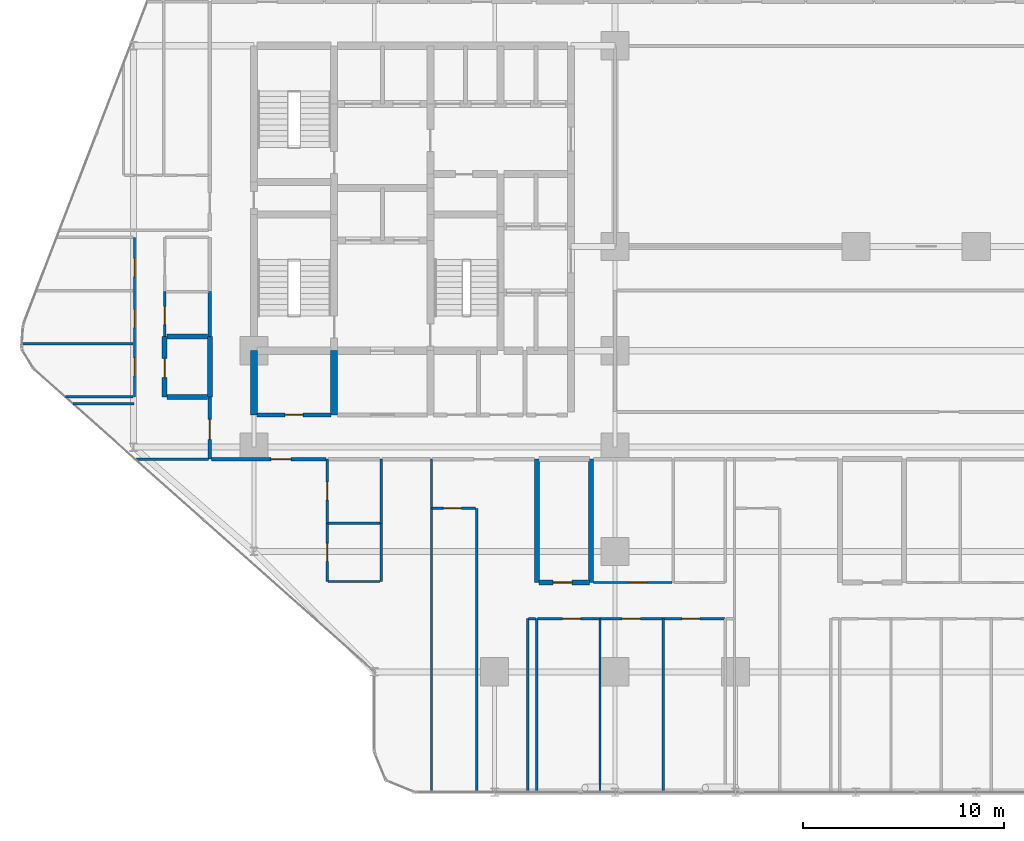
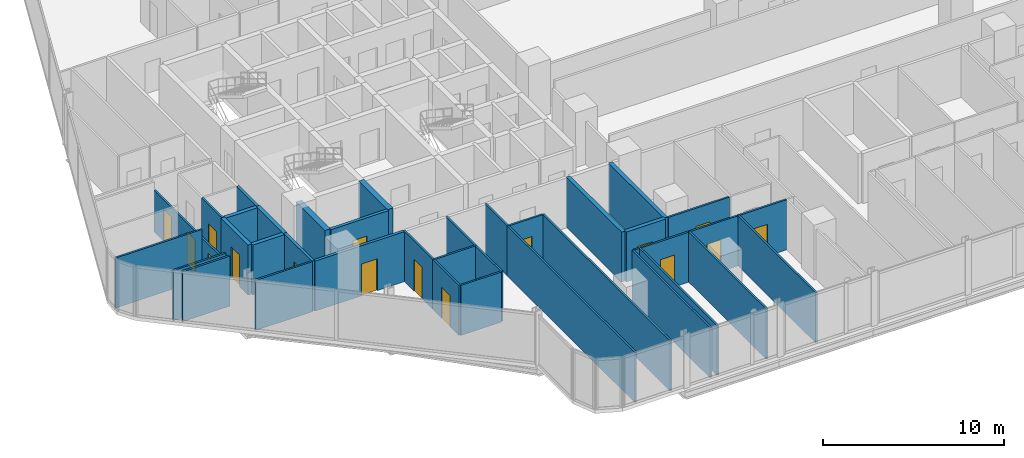
# One storey, part 26 of 33: 36 walls, 16 doors, 16 openings.
"""IFC4 building model written with IfcOpenShell, lengths in metres."""

import ifcopenshell
import ifcopenshell.guid

model = None  # the IFC model being written
_history = None  # IfcOwnerHistory: only IFC2X3 demands one
_inside = {}  # id of a spatial element -> (the spatial element, [elements in it])
_under = {}  # id of a project, library or spatial element -> (it, [spatial elements below it])
_declared = {}  # id of a project -> (the project, [libraries it declares])
_typed = {}  # id of a type object -> (the type object, [elements of that type])
_made_of = {}  # id of a material, layer set ... -> (it, [elements and type objects made of it])


def new_model(schema):
    """Start an empty IFC model of exactly this schema.

    Asked for "IFC4X3", IfcOpenShell would pick the latest addendum, in which some entities
    have other attributes; the version numbers below select the first issue.
    IFC2X3 requires an IfcOwnerHistory on every rooted entity: one is made here for all.
    """
    global model, _history
    if schema == "IFC4X3":
        model = ifcopenshell.file(schema_version=(4, 3, 0, 0))
    else:
        model = ifcopenshell.file(schema=schema)
    _inside.clear()
    _under.clear()
    _declared.clear()
    _typed.clear()
    _made_of.clear()
    _history = None
    if model.schema == "IFC2X3":
        org = make("IfcOrganization", Name="unknown")
        user = make(
            "IfcPersonAndOrganization",
            ThePerson=make("IfcPerson", FamilyName="unknown"),
            TheOrganization=org,
        )
        app = make(
            "IfcApplication",
            ApplicationDeveloper=org,
            Version="unknown",
            ApplicationFullName="unknown",
            ApplicationIdentifier="unknown",
        )
        _history = make(
            "IfcOwnerHistory",
            OwningUser=user,
            OwningApplication=app,
            ChangeAction="ADDED",
            CreationDate=0,
        )
    return model


def make(cls, **values):
    """One entity of the class cls with the attributes given. An attribute that is None is left unset."""
    return model.create_entity(
        cls, **{name: value for name, value in values.items() if value is not None}
    )


def rooted(cls, **values):
    """An entity with a GlobalId (a new one), such as an element, a storey or a relation."""
    return make(cls, GlobalId=ifcopenshell.guid.new(), OwnerHistory=_history, **values)


def si_unit(unit_type, name, prefix=None):
    """IfcSIUnit, for example si_unit("LENGTHUNIT", "METRE", prefix="MILLI")."""
    return make("IfcSIUnit", UnitType=unit_type, Prefix=prefix, Name=name)


def assignment(units):
    """IfcUnitAssignment: the units of a project."""
    return None if units is None else make("IfcUnitAssignment", Units=units)


def point(xyz):
    """IfcCartesianPoint."""
    return None if xyz is None else make("IfcCartesianPoint", Coordinates=xyz)


def direction(xyz):
    """IfcDirection."""
    return None if xyz is None else make("IfcDirection", DirectionRatios=xyz)


def frame(location, z_axis=None, x_axis=None):
    """IfcAxis2Placement3D, a coordinate frame: its origin and axes. An axis left out is left unset."""
    return make(
        "IfcAxis2Placement3D",
        Location=point(location),
        Axis=direction(z_axis),
        RefDirection=direction(x_axis),
    )


def frame_2d(location, x_axis=None):
    """IfcAxis2Placement2D, a coordinate frame in the plane: its origin and x axis."""
    return make(
        "IfcAxis2Placement2D", Location=point(location), RefDirection=direction(x_axis)
    )


def origin():
    """The frame at (0, 0, 0) with its axes left unset."""
    return frame((0.0, 0.0, 0.0))


def place(relative_to, where):
    """IfcLocalPlacement: puts the frame where relative to a parent placement (None: the world)."""
    return make(
        "IfcLocalPlacement", PlacementRelTo=relative_to, RelativePlacement=where
    )


def context(
    kind, dimensions, precision=None, world=None, true_north=None, identifier=None
):
    """IfcGeometricRepresentationContext, for example the 3D "Model" context."""
    return make(
        "IfcGeometricRepresentationContext",
        ContextIdentifier=identifier,
        ContextType=kind,
        CoordinateSpaceDimension=dimensions,
        Precision=precision,
        WorldCoordinateSystem=world,
        TrueNorth=true_north,
    )


def subcontext(parent, identifier, kind, view, scale=None):
    """IfcGeometricRepresentationSubContext, for example "Body" below "Model"."""
    return make(
        "IfcGeometricRepresentationSubContext",
        ContextIdentifier=identifier,
        ContextType=kind,
        ParentContext=parent,
        TargetScale=scale,
        TargetView=view,
    )


def project(units=None, contexts=None):
    """IfcProject with its units and contexts."""
    return rooted(
        "IfcProject",
        Name="project",
        RepresentationContexts=contexts,
        UnitsInContext=assignment(units),
    )


def spatial(cls, under=None, at=None, **own):
    """A site, building, storey or space (cls), placed at a placement, below another one or the project."""
    s = rooted(cls, ObjectPlacement=at, **own)
    if under is not None:
        _under.setdefault(under.id(), (under, []))[1].append(s)
    return s


def profile(cls, at=None, kind="AREA", **sizes):
    """A parametric profile (cls). Its sizes go by their IFC names, for example OverallWidth=200.0."""
    return make(cls, ProfileType=kind, Position=at, **sizes)


def rectangle(**sizes):
    """IfcRectangleProfileDef."""
    return profile("IfcRectangleProfileDef", **sizes)


def extrude(swept, where, along, depth):
    """IfcExtrudedAreaSolid: the profile swept, set in the frame where, extruded along a direction by depth."""
    return make(
        "IfcExtrudedAreaSolid",
        SweptArea=swept,
        Position=where,
        ExtrudedDirection=direction(along),
        Depth=depth,
    )


def shape(context_of_items, identifier, shape_type, items):
    """IfcShapeRepresentation: the items that make up one representation, for example the "Body"."""
    return make(
        "IfcShapeRepresentation",
        ContextOfItems=context_of_items,
        RepresentationIdentifier=identifier,
        RepresentationType=shape_type,
        Items=items,
    )


def material(Name=None, Category=None):
    """IfcMaterial."""
    return make("IfcMaterial", Name=Name, Category=Category)


def layer(
    of_material, thickness, ventilated=None, Name=None, Category=None, Priority=None
):
    """IfcMaterialLayer: one layer of a wall or slab, of a material (None: an air gap)."""
    return make(
        "IfcMaterialLayer",
        Material=of_material,
        LayerThickness=thickness,
        IsVentilated=ventilated,
        Name=Name,
        Category=Category,
        Priority=Priority,
    )


def layer_set(layers, Name=None):
    """IfcMaterialLayerSet."""
    return make("IfcMaterialLayerSet", MaterialLayers=layers, LayerSetName=Name)


def made_of(thing, what):
    """Note that an element or type object is made of a material, layer set ...; save() writes the relation."""
    if what is not None:
        _made_of.setdefault(what.id(), (what, []))[1].append(thing)
    return thing


def type_object(cls, material=None, **own):
    """A type object (cls), such as IfcWallType, which elements share."""
    return made_of(rooted(cls, **own), material)


def element(
    cls,
    number,
    at=None,
    inside=None,
    cuts=None,
    type_object=None,
    material=None,
    context=None,
    identifier="Body",
    shape_type=None,
    held_by="IfcProductDefinitionShape",
    body=None,
    shapes=None,
    **own,
):
    """One element of the class cls, such as IfcWall. Its Tag is "e" and its number.

    at: its placement. inside: the storey or other place that contains it. cuts: it is an
    opening in that element (IfcRelVoidsElement). A single representation is given by context,
    identifier, shape_type and body (its items); several are given by shapes. held_by: the class
    of the entity that holds the representations. save() writes the other relations.
    """
    e = rooted(cls, Tag="e%d" % number, ObjectPlacement=at, **own)
    if body is not None:
        shapes = [shape(context, identifier, shape_type, body)]
    if shapes is not None:
        e.Representation = make(held_by, Representations=shapes)
    if inside is not None:
        _inside.setdefault(inside.id(), (inside, []))[1].append(e)
    if cuts is not None:
        rooted(
            "IfcRelVoidsElement", RelatingBuildingElement=cuts, RelatedOpeningElement=e
        )
    if type_object is not None:
        _typed.setdefault(type_object.id(), (type_object, []))[1].append(e)
    return made_of(e, material)


def fill(opening, filler):
    """IfcRelFillsElement: the door or window that sits in an opening."""
    return rooted(
        "IfcRelFillsElement",
        RelatingOpeningElement=opening,
        RelatedBuildingElement=filler,
    )


def aggregate(whole, parts):
    """IfcRelAggregates: a whole, such as a stair, and the parts it consists of."""
    return rooted("IfcRelAggregates", RelatingObject=whole, RelatedObjects=parts)


def save(model, path):
    """Write the relations noted so far, then the file.

    IfcRelAggregates (storeys below a building ...), IfcRelContainedInSpatialStructure (elements
    in a storey), IfcRelDefinesByType, IfcRelAssociatesMaterial and IfcRelDeclares: one each for
    every whole, place, type object, material and project.
    """
    for whole, parts in _under.values():
        aggregate(whole, parts)
    for where, things in _inside.values():
        rooted(
            "IfcRelContainedInSpatialStructure",
            RelatedElements=things,
            RelatingStructure=where,
        )
    for kind, things in _typed.values():
        rooted("IfcRelDefinesByType", RelatedObjects=things, RelatingType=kind)
    for what, things in _made_of.values():
        rooted("IfcRelAssociatesMaterial", RelatedObjects=things, RelatingMaterial=what)
    for by, libraries in _declared.values():
        rooted("IfcRelDeclares", RelatingContext=by, RelatedDefinitions=libraries)
    model.write(path)


model = new_model("IFC4")

# Units and contexts
model_context = context("Model", 3, precision=1e-05, world=origin(), true_north=direction((0.0, 1.0)))
body_context = subcontext(model_context, "Body", "Model", "MODEL_VIEW")
ifc_project = project(units=[si_unit("LENGTHUNIT", "METRE"), si_unit("AREAUNIT", "SQUARE_METRE"), si_unit("VOLUMEUNIT", "CUBIC_METRE"), si_unit("PLANEANGLEUNIT", "RADIAN"), si_unit("MASSUNIT", "GRAM", prefix="KILO")], contexts=[model_context])

# Site, building, storey
site_placement = place(None, origin())
site = spatial("IfcSite", under=ifc_project, at=site_placement, CompositionType="ELEMENT")
building_placement = place(site_placement, origin())
building = spatial("IfcBuilding", under=site, at=building_placement, Name="Keshet Zoharim Tower", CompositionType="ELEMENT")
storey_placement = place(building_placement, frame((0.0, 0.0, 35.10009765625)))
storey = spatial("IfcBuildingStorey", under=building, at=storey_placement, Name="L07", CompositionType="ELEMENT", Elevation=35.10009765625)

# Walls
ifc_material_1 = material(Name="Concrete C60/75", Category="concrete")
ifc_layer_1 = layer(ifc_material_1, 0.35009765625)
ifc_layer_set_1 = layer_set([ifc_layer_1], Name="Concrete C60/75")
wall_type_1 = type_object("IfcWallType", Name="WL-CORE-350", PredefinedType="SHEAR", material=ifc_layer_set_1)
for number, where, z_axis, x_axis, name in (
    (1, (15.0, 19.5, 0.0), (0.0, 0.0, 1.0), (0.0, 1.0, 0.0), "L07 Core Shear Wall 013"),
    (2, (19.0, 19.5, 0.0), (0.0, 0.0, 1.0), (0.0, 1.0, 0.0), "L07 Core Shear Wall 021"),
):
    element("IfcWall", number, at=place(storey_placement, frame(where, z_axis=z_axis, x_axis=x_axis)), inside=storey, type_object=wall_type_1, Name=name, PredefinedType="SHEAR", context=body_context, shape_type="SweptSolid", body=[
        extrude(rectangle(XDim=3.199951171875, YDim=0.35009765625, at=frame_2d((1.60009765625, 0.0))), origin(), (0.0, 0.0, 1.0), 3.385009765625),
    ])

# Wall, opening, door
ifc_material_2 = material(Name="Gypsum Plasterboard", Category="gypsum")
ifc_layer_2 = layer(ifc_material_2, 0.179931640625)
ifc_layer_set_2 = layer_set([ifc_layer_2], Name="Gypsum Plasterboard")
wall_type_2 = type_object("IfcWallType", Name="WL-CORR-180", PredefinedType="STANDARD", material=ifc_layer_set_2)
wall_1_placement = place(storey_placement, frame((12.800048828125, 17.300048828125, 0.0), z_axis=(0.0, 0.0, 1.0), x_axis=(0.0, 1.0, 0.0)))
wall_1 = element("IfcWall", 3, at=wall_1_placement, inside=storey, type_object=wall_type_2, Name="L07 Interior Wall 007", PredefinedType="STANDARD", context=body_context, shape_type="SweptSolid", body=[
    extrude(rectangle(XDim=3.099853515625, YDim=0.179931640625, at=frame_2d((1.5498046875, 0.0))), origin(), (0.0, 0.0, 1.0), 3.385009765625),
])
opening_1_placement = place(wall_1_placement, frame((0.97802734375, 0.0, 0.0)))
opening_1 = element("IfcOpeningElement", 4, at=opening_1_placement, cuts=wall_1, Name="Opening D-F310", PredefinedType="OPENING", context=body_context, shape_type="SweptSolid", body=[
    extrude(rectangle(XDim=1.0, YDim=2.14990234375, at=frame_2d((0.5, 1.074951171875))), frame((0.0, 0.10009765625, 0.0), z_axis=(0.0, -1.0, 0.0), x_axis=(1.0, 0.0, 0.0)), (0.0, 0.0, 1.0), 0.199951171875),
])
ifc_material_3 = material(Name="Hardwood Timber", Category="wood")
door_type_1 = type_object("IfcDoorType", Name="DR-FD30-100", OperationType="NOTDEFINED", PredefinedType="DOOR", material=ifc_material_3)
door_1_placement = place(opening_1_placement, origin())
door_1 = element("IfcDoor", 5, at=door_1_placement, inside=storey, type_object=door_type_1, Name="Apartment 0709 Entrance Door", OperationType="SINGLE_SWING_LEFT", OverallHeight=2.14990234375, OverallWidth=1.0, PredefinedType="DOOR", context=body_context, shape_type="SweptSolid", body=[
    extrude(rectangle(XDim=1.0, YDim=2.14990234375, at=frame_2d((0.5, 1.074951171875))), frame((0.0, 0.02490234375, 0.0), z_axis=(0.0, -1.0, 0.0), x_axis=(1.0, 0.0, 0.0)), (0.0, 0.0, 1.0), 0.050048828125),
])
fill(opening_1, door_1)

# Wall
wall_2_placement = place(storey_placement, frame((12.800048828125, 23.4208984375, 0.0), z_axis=(0.0, 0.0, 1.0), x_axis=(0.0, 1.0, 0.0)))
element("IfcWall", 6, at=wall_2_placement, inside=storey, type_object=wall_type_2, Name="L07 Interior Wall 009", PredefinedType="STANDARD", context=body_context, shape_type="SweptSolid", body=[
    extrude(rectangle(XDim=2.22607421875, YDim=0.179931640625, at=frame_2d((1.113037109375, 0.0))), origin(), (0.0, 0.0, 1.0), 3.385009765625),
])

# Wall, opening, door
wall_3_placement = place(storey_placement, frame((12.875, 17.300048828125, 0.0), z_axis=(0.0, 0.0, 1.0), x_axis=(1.0, 0.0, 0.0)))
wall_3 = element("IfcWall", 7, at=wall_3_placement, inside=storey, type_object=wall_type_2, Name="L07 Interior Wall 152", PredefinedType="STANDARD", context=body_context, shape_type="SweptSolid", body=[
    extrude(rectangle(XDim=5.719970703125, YDim=0.179931640625, at=frame_2d((2.85986328125, 0.0))), origin(), (0.0, 0.0, 1.0), 3.385009765625),
])
opening_2_placement = place(wall_3_placement, frame((2.97509765625, 0.0, 0.0)))
opening_2 = element("IfcOpeningElement", 8, at=opening_2_placement, cuts=wall_3, Name="Opening D-F310", PredefinedType="OPENING", context=body_context, shape_type="SweptSolid", body=[
    extrude(rectangle(XDim=1.0, YDim=2.14990234375, at=frame_2d((0.5, 1.074951171875))), frame((0.0, 0.10009765625, 0.0), z_axis=(0.0, -1.0, 0.0), x_axis=(1.0, 0.0, 0.0)), (0.0, 0.0, 1.0), 0.199951171875),
])
door_2_placement = place(opening_2_placement, origin())
door_2 = element("IfcDoor", 9, at=door_2_placement, inside=storey, type_object=door_type_1, Name="Apartment 0701 Entrance Door", OperationType="SINGLE_SWING_RIGHT", OverallHeight=2.14990234375, OverallWidth=1.0, PredefinedType="DOOR", context=body_context, shape_type="SweptSolid", body=[
    extrude(rectangle(XDim=1.0, YDim=2.14990234375, at=frame_2d((0.5, 1.074951171875))), frame((0.0, 0.02490234375, 0.0), z_axis=(0.0, -1.0, 0.0), x_axis=(1.0, 0.0, 0.0)), (0.0, 0.0, 1.0), 0.050048828125),
])
fill(opening_2, door_2)

ifc_material_4 = material(Name="Concrete C50/60", Category="concrete")
ifc_layer_3 = layer(ifc_material_4, 0.199951171875)
ifc_layer_set_3 = layer_set([ifc_layer_3], Name="Concrete C50/60")
wall_type_3 = type_object("IfcWallType", Name="WL-FIRE-200", PredefinedType="STANDARD", material=ifc_layer_set_3)
wall_4_placement = place(storey_placement, frame((15.159912109375, 19.5, 0.0), z_axis=(0.0, 0.0, 1.0), x_axis=(1.0, 0.0, 0.0)))
wall_4 = element("IfcWall", 10, at=wall_4_placement, inside=storey, type_object=wall_type_3, Name="L07 Interior Wall 168", PredefinedType="STANDARD", context=body_context, shape_type="SweptSolid", body=[
    extrude(rectangle(XDim=3.68017578125, YDim=0.199951171875, at=frame_2d((1.840087890625, 0.0))), origin(), (0.0, 0.0, 1.0), 3.385009765625),
])
opening_3_placement = place(wall_4_placement, frame((1.389892578125, 0.0, 0.0)))
opening_3 = element("IfcOpeningElement", 11, at=opening_3_placement, cuts=wall_4, Name="Opening D-F690", PredefinedType="OPENING", context=body_context, shape_type="SweptSolid", body=[
    extrude(rectangle(XDim=0.89990234375, YDim=2.14990234375, at=frame_2d((0.449951171875, 1.074951171875))), frame((0.0, 0.10986328125, 0.0), z_axis=(0.0, -1.0, 0.0), x_axis=(1.0, 0.0, 0.0)), (0.0, 0.0, 1.0), 0.219970703125),
])
door_type_2 = type_object("IfcDoorType", Name="DR-FD60-090", OperationType="NOTDEFINED", PredefinedType="DOOR", material=ifc_material_3)
door_3_placement = place(opening_3_placement, origin())
door_3 = element("IfcDoor", 12, at=door_3_placement, inside=storey, type_object=door_type_2, Name="L07 Pram Store Door", OperationType="SINGLE_SWING_RIGHT", OverallHeight=2.14990234375, OverallWidth=0.89990234375, PredefinedType="DOOR", context=body_context, shape_type="SweptSolid", body=[
    extrude(rectangle(XDim=0.89990234375, YDim=2.14990234375, at=frame_2d((0.449951171875, 1.074951171875))), frame((0.0, 0.02490234375, 0.0), z_axis=(0.0, -1.0, 0.0), x_axis=(1.0, 0.0, 0.0)), (0.0, 0.0, 1.0), 0.050048828125),
])
fill(opening_3, door_3)

ifc_layer_4 = layer(ifc_material_4, 0.25)
ifc_layer_set_4 = layer_set([ifc_layer_4], Name="Concrete C50/60")
wall_type_4 = type_object("IfcWallType", Name="WL-MAMAD-250", PredefinedType="STANDARD", material=ifc_layer_set_4)
wall_5_placement = place(storey_placement, frame((10.550048828125, 20.39990234375, 0.0), z_axis=(0.0, 0.0, 1.0), x_axis=(0.0, 1.0, 0.0)))
wall_5 = element("IfcWall", 13, at=wall_5_placement, inside=storey, type_object=wall_type_4, Name="L07 Interior Wall 004", PredefinedType="STANDARD", context=body_context, shape_type="SweptSolid", body=[
    extrude(rectangle(XDim=3.02099609375, YDim=0.25, at=frame_2d((1.510498046875, 0.0))), origin(), (0.0, 0.0, 1.0), 3.385009765625),
])
opening_4_placement = place(wall_5_placement, frame((0.964111328125, 0.0, 0.0)))
opening_4 = element("IfcOpeningElement", 14, at=opening_4_placement, cuts=wall_5, Name="Opening D-F695", PredefinedType="OPENING", context=body_context, shape_type="SweptSolid", body=[
    extrude(rectangle(XDim=0.949951171875, YDim=2.14990234375, at=frame_2d((0.47509765625, 1.074951171875))), frame((0.0, 0.135009765625, 0.0), z_axis=(0.0, -1.0, 0.0), x_axis=(1.0, 0.0, 0.0)), (0.0, 0.0, 1.0), 0.27001953125),
])
door_type_3 = type_object("IfcDoorType", Name="DR-FD60-095", OperationType="NOTDEFINED", PredefinedType="DOOR", material=ifc_material_3)
door_4_placement = place(opening_4_placement, origin())
door_4 = element("IfcDoor", 15, at=door_4_placement, inside=storey, type_object=door_type_3, Name="Apartment 0709 Study and Shelter Room Door", OperationType="SINGLE_SWING_RIGHT", OverallHeight=2.14990234375, OverallWidth=0.949951171875, PredefinedType="DOOR", context=body_context, shape_type="SweptSolid", body=[
    extrude(rectangle(XDim=0.949951171875, YDim=2.14990234375, at=frame_2d((0.47509765625, 1.074951171875))), frame((0.0, 0.02490234375, 0.0), z_axis=(0.0, -1.0, 0.0), x_axis=(1.0, 0.0, 0.0)), (0.0, 0.0, 1.0), 0.050048828125),
])
fill(opening_4, door_4)

# Walls
wall_6_placement = place(storey_placement, frame((12.800048828125, 20.39990234375, 0.0), z_axis=(0.0, 0.0, 1.0), x_axis=(0.0, 1.0, 0.0)))
element("IfcWall", 16, at=wall_6_placement, inside=storey, type_object=wall_type_4, Name="L07 Interior Wall 008", PredefinedType="STANDARD", context=body_context, shape_type="SweptSolid", body=[
    extrude(rectangle(XDim=3.02099609375, YDim=0.25, at=frame_2d((1.510498046875, 0.0))), origin(), (0.0, 0.0, 1.0), 3.385009765625),
])
for number, where, z_axis, x_axis, name in (
    (17, (29.10009765625, 11.14990234375, 0.0), (0.0, 0.0, 1.0), (0.0, 1.0, 0.0), "L07 Interior Wall 061"),
    (18, (31.800048828125, 11.14990234375, 0.0), (0.0, 0.0, 1.0), (0.0, 1.0, 0.0), "L07 Interior Wall 070"),
):
    element("IfcWall", number, at=place(storey_placement, frame(where, z_axis=z_axis, x_axis=x_axis)), inside=storey, type_object=wall_type_4, Name=name, PredefinedType="STANDARD", context=body_context, shape_type="SweptSolid", body=[
        extrude(rectangle(XDim=6.150146484375, YDim=0.25, at=frame_2d((3.0751953125, 0.0))), origin(), (0.0, 0.0, 1.0), 3.385009765625),
    ])

# Wall, opening, door
wall_7_placement = place(storey_placement, frame((29.199951171875, 11.14990234375, 0.0), z_axis=(0.0, 0.0, 1.0), x_axis=(1.0, 0.0, 0.0)))
wall_7 = element("IfcWall", 19, at=wall_7_placement, inside=storey, type_object=wall_type_4, Name="L07 Interior Wall 137", PredefinedType="STANDARD", context=body_context, shape_type="SweptSolid", body=[
    extrude(rectangle(XDim=2.51513671875, YDim=0.25, at=frame_2d((1.257568359375, 0.0))), origin(), (0.0, 0.0, 1.0), 3.385009765625),
])
opening_5_placement = place(wall_7_placement, frame((0.7109375, 0.0, 0.0)))
opening_5 = element("IfcOpeningElement", 20, at=opening_5_placement, cuts=wall_7, Name="Opening D-F695", PredefinedType="OPENING", context=body_context, shape_type="SweptSolid", body=[
    extrude(rectangle(XDim=0.949951171875, YDim=2.14990234375, at=frame_2d((0.47509765625, 1.074951171875))), frame((0.0, 0.135009765625, 0.0), z_axis=(0.0, -1.0, 0.0), x_axis=(1.0, 0.0, 0.0)), (0.0, 0.0, 1.0), 0.27001953125),
])
door_5_placement = place(opening_5_placement, origin())
door_5 = element("IfcDoor", 21, at=door_5_placement, inside=storey, type_object=door_type_3, Name="Apartment 0702 Study and Shelter Room Door", OperationType="SINGLE_SWING_RIGHT", OverallHeight=2.14990234375, OverallWidth=0.949951171875, PredefinedType="DOOR", context=body_context, shape_type="SweptSolid", body=[
    extrude(rectangle(XDim=0.949951171875, YDim=2.14990234375, at=frame_2d((0.47509765625, 1.074951171875))), frame((0.0, 0.02490234375, 0.0), z_axis=(0.0, -1.0, 0.0), x_axis=(1.0, 0.0, 0.0)), (0.0, 0.0, 1.0), 0.050048828125),
])
fill(opening_5, door_5)

# Walls
for number, where, z_axis, x_axis, name in (
    (22, (10.659912109375, 20.39990234375, 0.0), (0.0, 0.0, 1.0), (1.0, 0.0, 0.0), "L07 Interior Wall 175"),
    (23, (10.659912109375, 23.39990234375, 0.0), (0.0, 0.0, 1.0), (1.0, 0.0, 0.0), "L07 Interior Wall 182"),
):
    element("IfcWall", number, at=place(storey_placement, frame(where, z_axis=z_axis, x_axis=x_axis)), inside=storey, type_object=wall_type_4, Name=name, PredefinedType="STANDARD", context=body_context, shape_type="SweptSolid", body=[
        extrude(rectangle(XDim=2.030029296875, YDim=0.25, at=frame_2d((1.01513671875, 0.0))), origin(), (0.0, 0.0, 1.0), 3.385009765625),
    ])

# Wall, openings, doors
ifc_layer_5 = layer(ifc_material_2, 0.1201171875)
ifc_layer_set_5 = layer_set([ifc_layer_5], Name="Gypsum Plasterboard")
wall_type_5 = type_object("IfcWallType", Name="WL-PART-120", PredefinedType="PARTITIONING", material=ifc_layer_set_5)
wall_8_placement = place(storey_placement, frame((9.050048828125, 20.39990234375, 0.0), z_axis=(0.0, 0.0, 1.0), x_axis=(0.0, 1.0, 0.0)))
wall_8 = element("IfcWall", 24, at=wall_8_placement, inside=storey, type_object=wall_type_5, Name="L07 Interior Wall 002", PredefinedType="PARTITIONING", context=body_context, shape_type="SweptSolid", body=[
    extrude(rectangle(XDim=7.9501953125, YDim=0.1201171875, at=frame_2d((3.97509765625, 0.0))), origin(), (0.0, 0.0, 1.0), 2.784912109375),
])
opening_6_placement = place(wall_8_placement, frame((1.050048828125, 0.0, 0.0)))
opening_6 = element("IfcOpeningElement", 25, at=opening_6_placement, cuts=wall_8, Name="Opening D-IN90", PredefinedType="OPENING", context=body_context, shape_type="SweptSolid", body=[
    extrude(rectangle(XDim=0.89990234375, YDim=2.14990234375, at=frame_2d((0.449951171875, 1.074951171875))), frame((0.0, 0.070068359375, 0.0), z_axis=(0.0, -1.0, 0.0), x_axis=(1.0, 0.0, 0.0)), (0.0, 0.0, 1.0), 0.14013671875),
])
opening_7_placement = place(wall_8_placement, frame((3.455078125, 0.0, 0.0)))
opening_7 = element("IfcOpeningElement", 26, at=opening_7_placement, cuts=wall_8, Name="Opening D-IN90", PredefinedType="OPENING", context=body_context, shape_type="SweptSolid", body=[
    extrude(rectangle(XDim=0.89990234375, YDim=2.14990234375, at=frame_2d((0.449951171875, 1.074951171875))), frame((0.0, 0.070068359375, 0.0), z_axis=(0.0, -1.0, 0.0), x_axis=(1.0, 0.0, 0.0)), (0.0, 0.0, 1.0), 0.14013671875),
])
opening_8_placement = place(wall_8_placement, frame((6.0, 0.0, 0.0)))
opening_8 = element("IfcOpeningElement", 27, at=opening_8_placement, cuts=wall_8, Name="Opening D-IN90", PredefinedType="OPENING", context=body_context, shape_type="SweptSolid", body=[
    extrude(rectangle(XDim=0.89990234375, YDim=2.14990234375, at=frame_2d((0.449951171875, 1.074951171875))), frame((0.0, 0.070068359375, 0.0), z_axis=(0.0, -1.0, 0.0), x_axis=(1.0, 0.0, 0.0)), (0.0, 0.0, 1.0), 0.14013671875),
])
door_type_4 = type_object("IfcDoorType", Name="DR-INT-090", OperationType="NOTDEFINED", PredefinedType="DOOR", material=ifc_material_3)
door_6_placement = place(opening_6_placement, origin())
door_6 = element("IfcDoor", 28, at=door_6_placement, inside=storey, type_object=door_type_4, Name="Apartment 0709 Bedroom 1 Door", OperationType="SINGLE_SWING_LEFT", OverallHeight=2.14990234375, OverallWidth=0.89990234375, PredefinedType="DOOR", context=body_context, shape_type="SweptSolid", body=[
    extrude(rectangle(XDim=0.89990234375, YDim=2.14990234375, at=frame_2d((0.449951171875, 1.074951171875))), frame((0.0, 0.02490234375, 0.0), z_axis=(0.0, -1.0, 0.0), x_axis=(1.0, 0.0, 0.0)), (0.0, 0.0, 1.0), 0.050048828125),
])
fill(opening_6, door_6)
door_7_placement = place(opening_7_placement, origin())
door_7 = element("IfcDoor", 29, at=door_7_placement, inside=storey, type_object=door_type_4, Name="Apartment 0709 Bedroom 2 Door", OperationType="SINGLE_SWING_RIGHT", OverallHeight=2.14990234375, OverallWidth=0.89990234375, PredefinedType="DOOR", context=body_context, shape_type="SweptSolid", body=[
    extrude(rectangle(XDim=0.89990234375, YDim=2.14990234375, at=frame_2d((0.449951171875, 1.074951171875))), frame((0.0, 0.02490234375, 0.0), z_axis=(0.0, -1.0, 0.0), x_axis=(1.0, 0.0, 0.0)), (0.0, 0.0, 1.0), 0.050048828125),
])
fill(opening_7, door_7)
door_8_placement = place(opening_8_placement, origin())
door_8 = element("IfcDoor", 30, at=door_8_placement, inside=storey, type_object=door_type_4, Name="Apartment 0709 Bedroom 3 Door", OperationType="SINGLE_SWING_LEFT", OverallHeight=2.14990234375, OverallWidth=0.89990234375, PredefinedType="DOOR", context=body_context, shape_type="SweptSolid", body=[
    extrude(rectangle(XDim=0.89990234375, YDim=2.14990234375, at=frame_2d((0.449951171875, 1.074951171875))), frame((0.0, 0.02490234375, 0.0), z_axis=(0.0, -1.0, 0.0), x_axis=(1.0, 0.0, 0.0)), (0.0, 0.0, 1.0), 0.050048828125),
])
fill(opening_8, door_8)

# Wall, opening, door
wall_9_placement = place(storey_placement, frame((18.64990234375, 14.10009765625, 0.0), z_axis=(0.0, 0.0, 1.0), x_axis=(0.0, 1.0, 0.0)))
wall_9 = element("IfcWall", 31, at=wall_9_placement, inside=storey, type_object=wall_type_5, Name="L07 Interior Wall 020", PredefinedType="PARTITIONING", context=body_context, shape_type="SweptSolid", body=[
    extrude(rectangle(XDim=3.199951171875, YDim=0.1201171875, at=frame_2d((1.60009765625, 0.0))), origin(), (0.0, 0.0, 1.0), 3.385009765625),
])
opening_9_placement = place(wall_9_placement, frame((1.14990234375, 0.0, 0.0)))
opening_9 = element("IfcOpeningElement", 32, at=opening_9_placement, cuts=wall_9, Name="Opening D-IN90", PredefinedType="OPENING", context=body_context, shape_type="SweptSolid", body=[
    extrude(rectangle(XDim=0.89990234375, YDim=2.14990234375, at=frame_2d((0.449951171875, 1.074951171875))), frame((0.0, 0.070068359375, 0.0), z_axis=(0.0, -1.0, 0.0), x_axis=(1.0, 0.0, 0.0)), (0.0, 0.0, 1.0), 0.14013671875),
])
door_9_placement = place(opening_9_placement, origin())
door_9 = element("IfcDoor", 33, at=door_9_placement, inside=storey, type_object=door_type_4, Name="Apartment 0701 Kitchenette Door", OperationType="SINGLE_SWING_RIGHT", OverallHeight=2.14990234375, OverallWidth=0.89990234375, PredefinedType="DOOR", context=body_context, shape_type="SweptSolid", body=[
    extrude(rectangle(XDim=0.89990234375, YDim=2.14990234375, at=frame_2d((0.449951171875, 1.074951171875))), frame((0.0, 0.02490234375, 0.0), z_axis=(0.0, -1.0, 0.0), x_axis=(1.0, 0.0, 0.0)), (0.0, 0.0, 1.0), 0.050048828125),
])
fill(opening_9, door_9)

# Walls
wall_10_placement = place(storey_placement, frame((21.35009765625, 14.10009765625, 0.0), z_axis=(0.0, 0.0, 1.0), x_axis=(0.0, 1.0, 0.0)))
element("IfcWall", 34, at=wall_10_placement, inside=storey, type_object=wall_type_5, Name="L07 Interior Wall 029", PredefinedType="PARTITIONING", context=body_context, shape_type="SweptSolid", body=[
    extrude(rectangle(XDim=3.199951171875, YDim=0.1201171875, at=frame_2d((1.60009765625, 0.0))), origin(), (0.0, 0.0, 1.0), 3.385009765625),
])
wall_11_placement = place(storey_placement, frame((23.85009765625, 0.7099609375, 0.0), z_axis=(0.0, 0.0, 1.0), x_axis=(0.0, 1.0, 0.0)))
element("IfcWall", 35, at=wall_11_placement, inside=storey, type_object=wall_type_5, Name="L07 Interior Wall 041", PredefinedType="PARTITIONING", context=body_context, shape_type="SweptSolid", body=[
    extrude(rectangle(XDim=14.14013671875, YDim=0.1201171875, at=frame_2d((7.070068359375, 0.0))), origin(), (0.0, 0.0, 1.0), 3.385009765625),
])
wall_12_placement = place(storey_placement, frame((23.85009765625, 14.85009765625, 0.0), z_axis=(0.0, 0.0, 1.0), x_axis=(0.0, 1.0, 0.0)))
element("IfcWall", 36, at=wall_12_placement, inside=storey, type_object=wall_type_5, Name="L07 Interior Wall 042", PredefinedType="PARTITIONING", context=body_context, shape_type="SweptSolid", body=[
    extrude(rectangle(XDim=2.449951171875, YDim=0.1201171875, at=frame_2d((1.22509765625, 0.0))), origin(), (0.0, 0.0, 1.0), 3.385009765625),
])
wall_13_placement = place(storey_placement, frame((26.10009765625, 0.7099609375, 0.0), z_axis=(0.0, 0.0, 1.0), x_axis=(0.0, 1.0, 0.0)))
element("IfcWall", 37, at=wall_13_placement, inside=storey, type_object=wall_type_5, Name="L07 Interior Wall 045", PredefinedType="PARTITIONING", context=body_context, shape_type="SweptSolid", body=[
    extrude(rectangle(XDim=14.14013671875, YDim=0.1201171875, at=frame_2d((7.070068359375, 0.0))), origin(), (0.0, 0.0, 1.0), 3.385009765625),
])
for number, where, z_axis, x_axis, name in (
    (38, (28.64990234375, 0.7099609375, 0.0), (0.0, 0.0, 1.0), (0.0, 1.0, 0.0), "L07 Interior Wall 054"),
    (39, (29.10009765625, 0.7099609375, 0.0), (0.0, 0.0, 1.0), (0.0, 1.0, 0.0), "L07 Interior Wall 060"),
    (40, (32.25, 0.7099609375, 0.0), (0.0, 0.0, 1.0), (0.0, 1.0, 0.0), "L07 Interior Wall 071"),
    (41, (35.39990234375, 0.7099609375, 0.0), (0.0, 0.0, 1.0), (0.0, 1.0, 0.0), "L07 Interior Wall 076"),
):
    element("IfcWall", number, at=place(storey_placement, frame(where, z_axis=z_axis, x_axis=x_axis)), inside=storey, type_object=wall_type_5, Name=name, PredefinedType="PARTITIONING", context=body_context, shape_type="SweptSolid", body=[
        extrude(rectangle(XDim=8.64013671875, YDim=0.1201171875, at=frame_2d((4.320068359375, 0.0))), origin(), (0.0, 0.0, 1.0), 3.385009765625),
    ])
wall_14_placement = place(storey_placement, frame((28.68505859375, 9.35009765625, 0.0), z_axis=(0.0, 0.0, 1.0), x_axis=(1.0, 0.0, 0.0)))
element("IfcWall", 42, at=wall_14_placement, inside=storey, type_object=wall_type_5, Name="L07 Interior Wall 129", PredefinedType="PARTITIONING", context=body_context, shape_type="SweptSolid", body=[
    extrude(rectangle(XDim=0.35986328125, YDim=0.1201171875, at=frame_2d((0.179931640625, 0.0))), origin(), (0.0, 0.0, 1.0), 3.385009765625),
])

# Wall, openings, doors
wall_15_placement = place(storey_placement, frame((29.135009765625, 9.35009765625, 0.0), z_axis=(0.0, 0.0, 1.0), x_axis=(1.0, 0.0, 0.0)))
wall_15 = element("IfcWall", 43, at=wall_15_placement, inside=storey, type_object=wall_type_5, Name="L07 Interior Wall 130", PredefinedType="PARTITIONING", context=body_context, shape_type="SweptSolid", body=[
    extrude(rectangle(XDim=9.340087890625, YDim=0.1201171875, at=frame_2d((4.669921875, 0.0))), origin(), (0.0, 0.0, 1.0), 3.385009765625),
])
opening_10_placement = place(wall_15_placement, frame((1.2509765625, 0.0, 0.0)))
opening_10 = element("IfcOpeningElement", 44, at=opening_10_placement, cuts=wall_15, Name="Opening D-IN90", PredefinedType="OPENING", context=body_context, shape_type="SweptSolid", body=[
    extrude(rectangle(XDim=0.89990234375, YDim=2.14990234375, at=frame_2d((0.449951171875, 1.074951171875))), frame((0.0, 0.070068359375, 0.0), z_axis=(0.0, -1.0, 0.0), x_axis=(1.0, 0.0, 0.0)), (0.0, 0.0, 1.0), 0.14013671875),
])
opening_11_placement = place(wall_15_placement, frame((4.219970703125, 0.0, 0.0)))
opening_11 = element("IfcOpeningElement", 45, at=opening_11_placement, cuts=wall_15, Name="Opening D-IN90", PredefinedType="OPENING", context=body_context, shape_type="SweptSolid", body=[
    extrude(rectangle(XDim=0.89990234375, YDim=2.14990234375, at=frame_2d((0.449951171875, 1.074951171875))), frame((0.0, 0.070068359375, 0.0), z_axis=(0.0, -1.0, 0.0), x_axis=(1.0, 0.0, 0.0)), (0.0, 0.0, 1.0), 0.14013671875),
])
opening_12_placement = place(wall_15_placement, frame((7.18896484375, 0.0, 0.0)))
opening_12 = element("IfcOpeningElement", 46, at=opening_12_placement, cuts=wall_15, Name="Opening D-IN90", PredefinedType="OPENING", context=body_context, shape_type="SweptSolid", body=[
    extrude(rectangle(XDim=0.89990234375, YDim=2.14990234375, at=frame_2d((0.449951171875, 1.074951171875))), frame((0.0, 0.070068359375, 0.0), z_axis=(0.0, -1.0, 0.0), x_axis=(1.0, 0.0, 0.0)), (0.0, 0.0, 1.0), 0.14013671875),
])
door_10_placement = place(opening_10_placement, origin())
door_10 = element("IfcDoor", 47, at=door_10_placement, inside=storey, type_object=door_type_4, Name="Apartment 0702 Bedroom 1 Door", OperationType="SINGLE_SWING_RIGHT", OverallHeight=2.14990234375, OverallWidth=0.89990234375, PredefinedType="DOOR", context=body_context, shape_type="SweptSolid", body=[
    extrude(rectangle(XDim=0.89990234375, YDim=2.14990234375, at=frame_2d((0.449951171875, 1.074951171875))), frame((0.0, 0.02490234375, 0.0), z_axis=(0.0, -1.0, 0.0), x_axis=(1.0, 0.0, 0.0)), (0.0, 0.0, 1.0), 0.050048828125),
])
fill(opening_10, door_10)
door_11_placement = place(opening_11_placement, origin())
door_11 = element("IfcDoor", 48, at=door_11_placement, inside=storey, type_object=door_type_4, Name="Apartment 0702 Bedroom 2 Door", OperationType="SINGLE_SWING_LEFT", OverallHeight=2.14990234375, OverallWidth=0.89990234375, PredefinedType="DOOR", context=body_context, shape_type="SweptSolid", body=[
    extrude(rectangle(XDim=0.89990234375, YDim=2.14990234375, at=frame_2d((0.449951171875, 1.074951171875))), frame((0.0, 0.02490234375, 0.0), z_axis=(0.0, -1.0, 0.0), x_axis=(1.0, 0.0, 0.0)), (0.0, 0.0, 1.0), 0.050048828125),
])
fill(opening_11, door_11)
door_12_placement = place(opening_12_placement, origin())
door_12 = element("IfcDoor", 49, at=door_12_placement, inside=storey, type_object=door_type_4, Name="Apartment 0702 Bedroom 3 Door", OperationType="SINGLE_SWING_RIGHT", OverallHeight=2.14990234375, OverallWidth=0.89990234375, PredefinedType="DOOR", context=body_context, shape_type="SweptSolid", body=[
    extrude(rectangle(XDim=0.89990234375, YDim=2.14990234375, at=frame_2d((0.449951171875, 1.074951171875))), frame((0.0, 0.02490234375, 0.0), z_axis=(0.0, -1.0, 0.0), x_axis=(1.0, 0.0, 0.0)), (0.0, 0.0, 1.0), 0.050048828125),
])
fill(opening_12, door_12)

# Wall, opening, door
wall_16_placement = place(storey_placement, frame((31.93505859375, 11.14990234375, 0.0), z_axis=(0.0, 0.0, 1.0), x_axis=(1.0, 0.0, 0.0)))
wall_16 = element("IfcWall", 50, at=wall_16_placement, inside=storey, type_object=wall_type_5, Name="L07 Interior Wall 138", PredefinedType="PARTITIONING", context=body_context, shape_type="SweptSolid", body=[
    extrude(rectangle(XDim=3.89990234375, YDim=0.1201171875, at=frame_2d((1.949951171875, 0.0))), origin(), (0.0, 0.0, 1.0), 3.385009765625),
])
opening_13_placement = place(wall_16_placement, frame((1.760986328125, 0.0, 0.0)))
opening_13 = element("IfcOpeningElement", 51, at=opening_13_placement, cuts=wall_16, Name="Opening D-IN90", PredefinedType="OPENING", context=body_context, shape_type="SweptSolid", body=[
    extrude(rectangle(XDim=0.89990234375, YDim=2.14990234375, at=frame_2d((0.449951171875, 1.074951171875))), frame((0.0, 0.070068359375, 0.0), z_axis=(0.0, -1.0, 0.0), x_axis=(1.0, 0.0, 0.0)), (0.0, 0.0, 1.0), 0.14013671875),
])
door_13_placement = place(opening_13_placement, origin())
door_13 = element("IfcDoor", 52, at=door_13_placement, inside=storey, type_object=door_type_4, Name="Apartment 0702 Kitchen Door", OperationType="SINGLE_SWING_LEFT", OverallHeight=2.14990234375, OverallWidth=0.89990234375, PredefinedType="DOOR", context=body_context, shape_type="SweptSolid", body=[
    extrude(rectangle(XDim=0.89990234375, YDim=2.14990234375, at=frame_2d((0.449951171875, 1.074951171875))), frame((0.0, 0.02490234375, 0.0), z_axis=(0.0, -1.0, 0.0), x_axis=(1.0, 0.0, 0.0)), (0.0, 0.0, 1.0), 0.050048828125),
])
fill(opening_13, door_13)

wall_17_placement = place(storey_placement, frame((23.885009765625, 14.85009765625, 0.0), z_axis=(0.0, 0.0, 1.0), x_axis=(1.0, 0.0, 0.0)))
wall_17 = element("IfcWall", 53, at=wall_17_placement, inside=storey, type_object=wall_type_5, Name="L07 Interior Wall 148", PredefinedType="PARTITIONING", context=body_context, shape_type="SweptSolid", body=[
    extrude(rectangle(XDim=2.159912109375, YDim=0.1201171875, at=frame_2d((1.080078125, 0.0))), origin(), (0.0, 0.0, 1.0), 3.385009765625),
])
opening_14_placement = place(wall_17_placement, frame((0.552978515625, 0.0, 0.0)))
opening_14 = element("IfcOpeningElement", 54, at=opening_14_placement, cuts=wall_17, Name="Opening D-IN90", PredefinedType="OPENING", context=body_context, shape_type="SweptSolid", body=[
    extrude(rectangle(XDim=0.89990234375, YDim=2.14990234375, at=frame_2d((0.449951171875, 1.074951171875))), frame((0.0, 0.070068359375, 0.0), z_axis=(0.0, -1.0, 0.0), x_axis=(1.0, 0.0, 0.0)), (0.0, 0.0, 1.0), 0.14013671875),
])
door_14_placement = place(opening_14_placement, origin())
door_14 = element("IfcDoor", 55, at=door_14_placement, inside=storey, type_object=door_type_4, Name="Apartment 0702 Formal Dining Room Door", OperationType="SINGLE_SWING_LEFT", OverallHeight=2.14990234375, OverallWidth=0.89990234375, PredefinedType="DOOR", context=body_context, shape_type="SweptSolid", body=[
    extrude(rectangle(XDim=0.89990234375, YDim=2.14990234375, at=frame_2d((0.449951171875, 1.074951171875))), frame((0.0, 0.02490234375, 0.0), z_axis=(0.0, -1.0, 0.0), x_axis=(1.0, 0.0, 0.0)), (0.0, 0.0, 1.0), 0.050048828125),
])
fill(opening_14, door_14)

# Walls
wall_18_placement = place(storey_placement, frame((9.0849609375, 17.300048828125, 0.0), z_axis=(0.0, 0.0, 1.0), x_axis=(1.0, 0.0, 0.0)))
element("IfcWall", 56, at=wall_18_placement, inside=storey, type_object=wall_type_5, Name="L07 Interior Wall 151", PredefinedType="PARTITIONING", context=body_context, shape_type="SweptSolid", body=[
    extrude(rectangle(XDim=3.64013671875, YDim=0.1201171875, at=frame_2d((1.820068359375, 0.0))), origin(), (0.0, 0.0, 1.0), 3.385009765625),
])
wall_19_placement = place(storey_placement, frame((5.990966796875, 20.050048828125, 0.0), z_axis=(0.0, 0.0, 1.0), x_axis=(1.0, 0.0, 0.0)))
element("IfcWall", 57, at=wall_19_placement, inside=storey, type_object=wall_type_5, Name="L07 Interior Wall 173", PredefinedType="PARTITIONING", context=body_context, shape_type="SweptSolid", body=[
    extrude(rectangle(XDim=3.0390625, YDim=0.1201171875, at=frame_2d((1.51953125, 0.0))), origin(), (0.0, 0.0, 1.0), 3.385009765625),
])
wall_20_placement = place(storey_placement, frame((5.597900390625, 20.39990234375, 0.0), z_axis=(0.0, 0.0, 1.0), x_axis=(1.0, 0.0, 0.0)))
element("IfcWall", 58, at=wall_20_placement, inside=storey, type_object=wall_type_5, Name="L07 Interior Wall 174", PredefinedType="PARTITIONING", context=body_context, shape_type="SweptSolid", body=[
    extrude(rectangle(XDim=3.38720703125, YDim=0.1201171875, at=frame_2d((1.693603515625, 0.0))), origin(), (0.0, 0.0, 1.0), 3.385009765625),
])
wall_21_placement = place(storey_placement, frame((3.446044921875, 23.050048828125, 0.0), z_axis=(0.0, 0.0, 1.0), x_axis=(1.0, 0.0, 0.0)))
element("IfcWall", 59, at=wall_21_placement, inside=storey, type_object=wall_type_5, Name="L07 Interior Wall 181", PredefinedType="PARTITIONING", context=body_context, shape_type="SweptSolid", body=[
    extrude(rectangle(XDim=5.5390625, YDim=0.1201171875, at=frame_2d((2.76953125, 0.0))), origin(), (0.0, 0.0, 1.0), 3.385009765625),
])

# Wall, opening, door
ifc_layer_6 = layer(ifc_material_2, 0.1201171875)
ifc_layer_set_6 = layer_set([ifc_layer_6], Name="Gypsum Plasterboard")
wall_type_6 = type_object("IfcWallType", Name="WL-WET-120", PredefinedType="PARTITIONING", material=ifc_layer_set_6)
wall_22_placement = place(storey_placement, frame((10.550048828125, 23.4208984375, 0.0), z_axis=(0.0, 0.0, 1.0), x_axis=(0.0, 1.0, 0.0)))
wall_22 = element("IfcWall", 60, at=wall_22_placement, inside=storey, type_object=wall_type_6, Name="L07 Interior Wall 005", PredefinedType="PARTITIONING", context=body_context, shape_type="SweptSolid", body=[
    extrude(rectangle(XDim=2.22607421875, YDim=0.1201171875, at=frame_2d((1.113037109375, 0.0))), origin(), (0.0, 0.0, 1.0), 3.385009765625),
])
opening_15_placement = place(wall_22_placement, frame((0.583984375, 0.0, 0.0)))
opening_15 = element("IfcOpeningElement", 61, at=opening_15_placement, cuts=wall_22, Name="Opening D-WT90", PredefinedType="OPENING", context=body_context, shape_type="SweptSolid", body=[
    extrude(rectangle(XDim=0.89990234375, YDim=2.10009765625, at=frame_2d((0.449951171875, 1.050048828125))), frame((0.0, 0.070068359375, 0.0), z_axis=(0.0, -1.0, 0.0), x_axis=(1.0, 0.0, 0.0)), (0.0, 0.0, 1.0), 0.14013671875),
])
door_type_5 = type_object("IfcDoorType", Name="DR-WET-090", OperationType="NOTDEFINED", PredefinedType="DOOR", material=ifc_material_3)
door_15_placement = place(opening_15_placement, origin())
door_15 = element("IfcDoor", 62, at=door_15_placement, inside=storey, type_object=door_type_5, Name="Apartment 0709 Bathroom Door", OperationType="SINGLE_SWING_LEFT", OverallHeight=2.10009765625, OverallWidth=0.89990234375, PredefinedType="DOOR", context=body_context, shape_type="SweptSolid", body=[
    extrude(rectangle(XDim=0.89990234375, YDim=2.10009765625, at=frame_2d((0.449951171875, 1.050048828125))), frame((0.0, 0.02490234375, 0.0), z_axis=(0.0, -1.0, 0.0), x_axis=(1.0, 0.0, 0.0)), (0.0, 0.0, 1.0), 0.050048828125),
])
fill(opening_15, door_15)

wall_23_placement = place(storey_placement, frame((18.64990234375, 11.199951171875, 0.0), z_axis=(0.0, 0.0, 1.0), x_axis=(0.0, 1.0, 0.0)))
wall_23 = element("IfcWall", 63, at=wall_23_placement, inside=storey, type_object=wall_type_6, Name="L07 Interior Wall 019", PredefinedType="PARTITIONING", context=body_context, shape_type="SweptSolid", body=[
    extrude(rectangle(XDim=2.900146484375, YDim=0.1201171875, at=frame_2d((1.4501953125, 0.0))), origin(), (0.0, 0.0, 1.0), 3.385009765625),
])
opening_16_placement = place(wall_23_placement, frame((1.0, 0.0, 0.0)))
opening_16 = element("IfcOpeningElement", 64, at=opening_16_placement, cuts=wall_23, Name="Opening D-WT90", PredefinedType="OPENING", context=body_context, shape_type="SweptSolid", body=[
    extrude(rectangle(XDim=0.89990234375, YDim=2.10009765625, at=frame_2d((0.449951171875, 1.050048828125))), frame((0.0, 0.070068359375, 0.0), z_axis=(0.0, -1.0, 0.0), x_axis=(1.0, 0.0, 0.0)), (0.0, 0.0, 1.0), 0.14013671875),
])
door_16_placement = place(opening_16_placement, origin())
door_16 = element("IfcDoor", 65, at=door_16_placement, inside=storey, type_object=door_type_5, Name="Apartment 0701 Bathroom Door", OperationType="SINGLE_SWING_LEFT", OverallHeight=2.10009765625, OverallWidth=0.89990234375, PredefinedType="DOOR", context=body_context, shape_type="SweptSolid", body=[
    extrude(rectangle(XDim=0.89990234375, YDim=2.10009765625, at=frame_2d((0.449951171875, 1.050048828125))), frame((0.0, 0.02490234375, 0.0), z_axis=(0.0, -1.0, 0.0), x_axis=(1.0, 0.0, 0.0)), (0.0, 0.0, 1.0), 0.050048828125),
])
fill(opening_16, door_16)

# Walls
wall_24_placement = place(storey_placement, frame((21.35009765625, 11.199951171875, 0.0), z_axis=(0.0, 0.0, 1.0), x_axis=(0.0, 1.0, 0.0)))
element("IfcWall", 66, at=wall_24_placement, inside=storey, type_object=wall_type_6, Name="L07 Interior Wall 028", PredefinedType="PARTITIONING", context=body_context, shape_type="SweptSolid", body=[
    extrude(rectangle(XDim=2.900146484375, YDim=0.1201171875, at=frame_2d((1.4501953125, 0.0))), origin(), (0.0, 0.0, 1.0), 3.385009765625),
])
for number, where, z_axis, x_axis, name in (
    (67, (18.68505859375, 11.199951171875, 0.0), (0.0, 0.0, 1.0), (1.0, 0.0, 0.0), "L07 Interior Wall 146"),
    (68, (18.68505859375, 14.10009765625, 0.0), (0.0, 0.0, 1.0), (1.0, 0.0, 0.0), "L07 Interior Wall 147"),
):
    element("IfcWall", number, at=place(storey_placement, frame(where, z_axis=z_axis, x_axis=x_axis)), inside=storey, type_object=wall_type_6, Name=name, PredefinedType="PARTITIONING", context=body_context, shape_type="SweptSolid", body=[
        extrude(rectangle(XDim=2.60986328125, YDim=0.1201171875, at=frame_2d((1.304931640625, 0.0))), origin(), (0.0, 0.0, 1.0), 3.385009765625),
    ])

save(model, "model.ifc")
